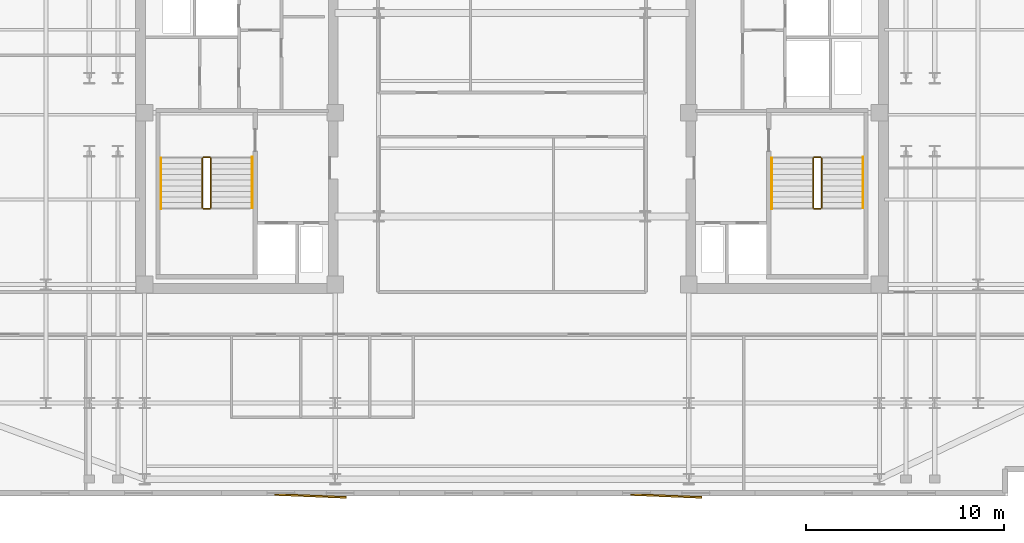
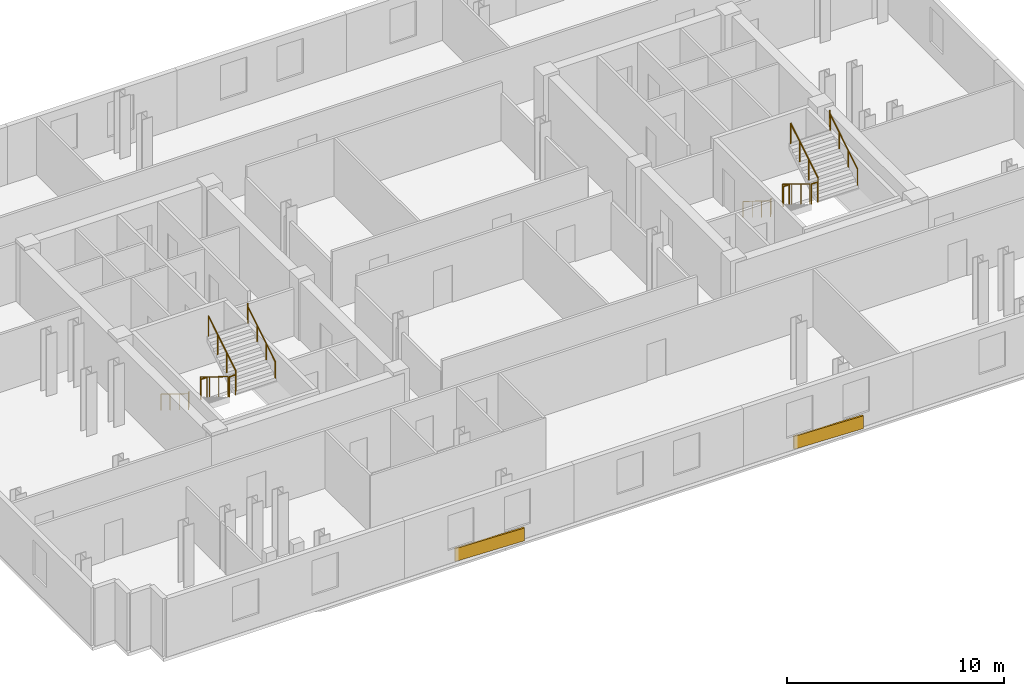
# One storey, part 8 of 9: 12 railings, 2 coverings.
"""IFC4 building model written with IfcOpenShell, lengths in metres."""

import ifcopenshell
import ifcopenshell.guid

model = None  # the IFC model being written
_history = None  # IfcOwnerHistory: only IFC2X3 demands one
_inside = {}  # id of a spatial element -> (the spatial element, [elements in it])
_under = {}  # id of a project, library or spatial element -> (it, [spatial elements below it])
_declared = {}  # id of a project -> (the project, [libraries it declares])
_typed = {}  # id of a type object -> (the type object, [elements of that type])
_made_of = {}  # id of a material, layer set ... -> (it, [elements and type objects made of it])


def new_model(schema):
    """Start an empty IFC model of exactly this schema.

    Asked for "IFC4X3", IfcOpenShell would pick the latest addendum, in which some entities
    have other attributes; the version numbers below select the first issue.
    IFC2X3 requires an IfcOwnerHistory on every rooted entity: one is made here for all.
    """
    global model, _history
    if schema == "IFC4X3":
        model = ifcopenshell.file(schema_version=(4, 3, 0, 0))
    else:
        model = ifcopenshell.file(schema=schema)
    _inside.clear()
    _under.clear()
    _declared.clear()
    _typed.clear()
    _made_of.clear()
    _history = None
    if model.schema == "IFC2X3":
        org = make("IfcOrganization", Name="unknown")
        user = make(
            "IfcPersonAndOrganization",
            ThePerson=make("IfcPerson", FamilyName="unknown"),
            TheOrganization=org,
        )
        app = make(
            "IfcApplication",
            ApplicationDeveloper=org,
            Version="unknown",
            ApplicationFullName="unknown",
            ApplicationIdentifier="unknown",
        )
        _history = make(
            "IfcOwnerHistory",
            OwningUser=user,
            OwningApplication=app,
            ChangeAction="ADDED",
            CreationDate=0,
        )
    return model


def make(cls, **values):
    """One entity of the class cls with the attributes given. An attribute that is None is left unset."""
    return model.create_entity(
        cls, **{name: value for name, value in values.items() if value is not None}
    )


def rooted(cls, **values):
    """An entity with a GlobalId (a new one), such as an element, a storey or a relation."""
    return make(cls, GlobalId=ifcopenshell.guid.new(), OwnerHistory=_history, **values)


def si_unit(unit_type, name, prefix=None):
    """IfcSIUnit, for example si_unit("LENGTHUNIT", "METRE", prefix="MILLI")."""
    return make("IfcSIUnit", UnitType=unit_type, Prefix=prefix, Name=name)


def assignment(units):
    """IfcUnitAssignment: the units of a project."""
    return None if units is None else make("IfcUnitAssignment", Units=units)


def point(xyz):
    """IfcCartesianPoint."""
    return None if xyz is None else make("IfcCartesianPoint", Coordinates=xyz)


def direction(xyz):
    """IfcDirection."""
    return None if xyz is None else make("IfcDirection", DirectionRatios=xyz)


def frame(location, z_axis=None, x_axis=None):
    """IfcAxis2Placement3D, a coordinate frame: its origin and axes. An axis left out is left unset."""
    return make(
        "IfcAxis2Placement3D",
        Location=point(location),
        Axis=direction(z_axis),
        RefDirection=direction(x_axis),
    )


def frame_2d(location, x_axis=None):
    """IfcAxis2Placement2D, a coordinate frame in the plane: its origin and x axis."""
    return make(
        "IfcAxis2Placement2D", Location=point(location), RefDirection=direction(x_axis)
    )


def origin():
    """The frame at (0, 0, 0) with its axes left unset."""
    return frame((0.0, 0.0, 0.0))


def origin_2d():
    """The frame at (0, 0) in the plane with its x axis left unset."""
    return frame_2d((0.0, 0.0))


def place(relative_to, where):
    """IfcLocalPlacement: puts the frame where relative to a parent placement (None: the world)."""
    return make(
        "IfcLocalPlacement", PlacementRelTo=relative_to, RelativePlacement=where
    )


def context(
    kind, dimensions, precision=None, world=None, true_north=None, identifier=None
):
    """IfcGeometricRepresentationContext, for example the 3D "Model" context."""
    return make(
        "IfcGeometricRepresentationContext",
        ContextIdentifier=identifier,
        ContextType=kind,
        CoordinateSpaceDimension=dimensions,
        Precision=precision,
        WorldCoordinateSystem=world,
        TrueNorth=true_north,
    )


def subcontext(parent, identifier, kind, view, scale=None):
    """IfcGeometricRepresentationSubContext, for example "Body" below "Model"."""
    return make(
        "IfcGeometricRepresentationSubContext",
        ContextIdentifier=identifier,
        ContextType=kind,
        ParentContext=parent,
        TargetScale=scale,
        TargetView=view,
    )


def project(units=None, contexts=None):
    """IfcProject with its units and contexts."""
    return rooted(
        "IfcProject",
        Name="project",
        RepresentationContexts=contexts,
        UnitsInContext=assignment(units),
    )


def spatial(cls, under=None, at=None, **own):
    """A site, building, storey or space (cls), placed at a placement, below another one or the project."""
    s = rooted(cls, ObjectPlacement=at, **own)
    if under is not None:
        _under.setdefault(under.id(), (under, []))[1].append(s)
    return s


def profile(cls, at=None, kind="AREA", **sizes):
    """A parametric profile (cls). Its sizes go by their IFC names, for example OverallWidth=200.0."""
    return make(cls, ProfileType=kind, Position=at, **sizes)


def rectangle(**sizes):
    """IfcRectangleProfileDef."""
    return profile("IfcRectangleProfileDef", **sizes)


def circle(**sizes):
    """IfcCircleProfileDef."""
    return profile("IfcCircleProfileDef", **sizes)


def extrude(swept, where, along, depth):
    """IfcExtrudedAreaSolid: the profile swept, set in the frame where, extruded along a direction by depth."""
    return make(
        "IfcExtrudedAreaSolid",
        SweptArea=swept,
        Position=where,
        ExtrudedDirection=direction(along),
        Depth=depth,
    )


def shape(context_of_items, identifier, shape_type, items):
    """IfcShapeRepresentation: the items that make up one representation, for example the "Body"."""
    return make(
        "IfcShapeRepresentation",
        ContextOfItems=context_of_items,
        RepresentationIdentifier=identifier,
        RepresentationType=shape_type,
        Items=items,
    )


def material(Name=None, Category=None):
    """IfcMaterial."""
    return make("IfcMaterial", Name=Name, Category=Category)


def layer(
    of_material, thickness, ventilated=None, Name=None, Category=None, Priority=None
):
    """IfcMaterialLayer: one layer of a wall or slab, of a material (None: an air gap)."""
    return make(
        "IfcMaterialLayer",
        Material=of_material,
        LayerThickness=thickness,
        IsVentilated=ventilated,
        Name=Name,
        Category=Category,
        Priority=Priority,
    )


def layer_set(layers, Name=None):
    """IfcMaterialLayerSet."""
    return make("IfcMaterialLayerSet", MaterialLayers=layers, LayerSetName=Name)


def made_of(thing, what):
    """Note that an element or type object is made of a material, layer set ...; save() writes the relation."""
    if what is not None:
        _made_of.setdefault(what.id(), (what, []))[1].append(thing)
    return thing


def type_object(cls, material=None, **own):
    """A type object (cls), such as IfcWallType, which elements share."""
    return made_of(rooted(cls, **own), material)


def element(
    cls,
    number,
    at=None,
    inside=None,
    cuts=None,
    type_object=None,
    material=None,
    context=None,
    identifier="Body",
    shape_type=None,
    held_by="IfcProductDefinitionShape",
    body=None,
    shapes=None,
    **own,
):
    """One element of the class cls, such as IfcWall. Its Tag is "e" and its number.

    at: its placement. inside: the storey or other place that contains it. cuts: it is an
    opening in that element (IfcRelVoidsElement). A single representation is given by context,
    identifier, shape_type and body (its items); several are given by shapes. held_by: the class
    of the entity that holds the representations. save() writes the other relations.
    """
    e = rooted(cls, Tag="e%d" % number, ObjectPlacement=at, **own)
    if body is not None:
        shapes = [shape(context, identifier, shape_type, body)]
    if shapes is not None:
        e.Representation = make(held_by, Representations=shapes)
    if inside is not None:
        _inside.setdefault(inside.id(), (inside, []))[1].append(e)
    if cuts is not None:
        rooted(
            "IfcRelVoidsElement", RelatingBuildingElement=cuts, RelatedOpeningElement=e
        )
    if type_object is not None:
        _typed.setdefault(type_object.id(), (type_object, []))[1].append(e)
    return made_of(e, material)


def aggregate(whole, parts):
    """IfcRelAggregates: a whole, such as a stair, and the parts it consists of."""
    return rooted("IfcRelAggregates", RelatingObject=whole, RelatedObjects=parts)


def save(model, path):
    """Write the relations noted so far, then the file.

    IfcRelAggregates (storeys below a building ...), IfcRelContainedInSpatialStructure (elements
    in a storey), IfcRelDefinesByType, IfcRelAssociatesMaterial and IfcRelDeclares: one each for
    every whole, place, type object, material and project.
    """
    for whole, parts in _under.values():
        aggregate(whole, parts)
    for where, things in _inside.values():
        rooted(
            "IfcRelContainedInSpatialStructure",
            RelatedElements=things,
            RelatingStructure=where,
        )
    for kind, things in _typed.values():
        rooted("IfcRelDefinesByType", RelatedObjects=things, RelatingType=kind)
    for what, things in _made_of.values():
        rooted("IfcRelAssociatesMaterial", RelatedObjects=things, RelatingMaterial=what)
    for by, libraries in _declared.values():
        rooted("IfcRelDeclares", RelatingContext=by, RelatedDefinitions=libraries)
    model.write(path)


model = new_model("IFC4")

# Units and contexts
model_context = context("Model", 3, precision=1e-05, world=origin(), true_north=direction((0.0, 1.0)))
body_context = subcontext(model_context, "Body", "Model", "MODEL_VIEW")
ifc_project = project(units=[si_unit("LENGTHUNIT", "METRE"), si_unit("AREAUNIT", "SQUARE_METRE"), si_unit("VOLUMEUNIT", "CUBIC_METRE"), si_unit("PLANEANGLEUNIT", "RADIAN"), si_unit("MASSUNIT", "GRAM", prefix="KILO")], contexts=[model_context])

# Site, building, storey
site_placement = place(None, origin())
site = spatial("IfcSite", under=ifc_project, at=site_placement, CompositionType="ELEMENT")
building_placement = place(site_placement, origin())
building = spatial("IfcBuilding", under=site, at=building_placement, Name="Velakula Bourse", CompositionType="ELEMENT")
storey_placement = place(building_placement, frame((0.0, 0.0, 211.949951171875)))
storey = spatial("IfcBuildingStorey", under=building, at=storey_placement, Name="L57", CompositionType="ELEMENT", Elevation=211.949951171875)

# Coverings
ifc_material_1 = material(Name="Red kilned clay facing brick masonry", Category="masonry")
ifc_layer = layer(ifc_material_1, 0.090087890625, Name="Red kilned clay facing brick masonry", Category="masonry")
ifc_layer_set = layer_set([ifc_layer], Name="Red kilned clay facing brick masonry")
covering_type = type_object("IfcCoveringType", Name="COV-BRK-FOLD-90", PredefinedType="CLADDING", material=ifc_layer_set)
for number, where, z_axis, x_axis, name in (
    (1, (-10.199951171875, -19.300048828125, 0.0), (0.0, 0.0, 1.0), (0.999158993058, -0.041003738744, 0.0), "L57 Folded Brick Facade Cladding Panel S-B2"),
    (2, (7.800048828125, -19.300048828125, 0.0), (0.0, 0.0, 1.0), (0.999158993058, -0.041003738744, 0.0), "L57 Folded Brick Facade Cladding Panel S-B4"),
):
    element("IfcCovering", number, at=place(storey_placement, frame(where, z_axis=z_axis, x_axis=x_axis)), inside=storey, type_object=covering_type, Name=name, PredefinedType="CLADDING", context=body_context, shape_type="SweptSolid", body=[
        extrude(rectangle(XDim=3.60009765625, YDim=0.090087890625, at=origin_2d()), origin(), (0.0, 0.0, 1.0), 0.719970703125),
    ])

# Railings
ifc_material_2 = material(Name="Brushed grade 316 stainless steel", Category="steel")
railing_type_1 = type_object("IfcRailingType", Name="RLG-STAIR-GUARD-1150", PredefinedType="BALUSTRADE", material=ifc_material_2)
railing_1_placement = place(storey_placement, frame((-15.672119140625, -2.199951171875, 0.172607421875)))
element("IfcRailing", 3, at=railing_1_placement, inside=storey, type_object=railing_type_1, Name="L57 ST-W1 stair guard 1", PredefinedType="BALUSTRADE", context=body_context, shape_type="SweptSolid", body=[
    extrude(circle(Radius=0.02490234375, at=origin_2d()), frame((0.0, 0.0, 1.125), z_axis=(0.0, -0.851400495292, 0.524516154772), x_axis=(1.0, 0.0, 0.0)), (0.0, 0.0, 1.0), 2.9599609375),
    extrude(circle(Radius=0.02099609375, at=origin_2d()), origin(), (0.0, 0.0, 1.0), 1.099853515625),
    extrude(circle(Radius=0.02099609375, at=origin_2d()), frame((0.0, -0.840087890625, 0.517578125)), (0.0, 0.0, 1.0), 1.099853515625),
    extrude(circle(Radius=0.02099609375, at=origin_2d()), frame((0.0, -1.679931640625, 1.034912109375)), (0.0, 0.0, 1.0), 1.099853515625),
    extrude(circle(Radius=0.02099609375, at=origin_2d()), frame((0.0, -2.52001953125, 1.552490234375)), (0.0, 0.0, 1.0), 1.099853515625),
])
railing_2_placement = place(storey_placement, frame((-15.6220703125, -4.77001953125, 1.72509765625)))
element("IfcRailing", 4, at=railing_2_placement, inside=storey, type_object=railing_type_1, Name="L57 ST-W1 stair guard 2", PredefinedType="BALUSTRADE", context=body_context, shape_type="SweptSolid", body=[
    extrude(circle(Radius=0.02490234375, at=origin_2d()), frame((0.0, 0.0, 1.125), z_axis=(1.0, 0.0, 0.0), x_axis=(0.0, 1.0, 0.0)), (0.0, 0.0, 1.0), 0.323974609375),
    extrude(circle(Radius=0.02099609375, at=origin_2d()), origin(), (0.0, 0.0, 1.0), 1.099853515625),
    extrude(circle(Radius=0.02099609375, at=origin_2d()), frame((0.323974609375, 0.0, 0.0)), (0.0, 0.0, 1.0), 1.099853515625),
])
railing_3_placement = place(storey_placement, frame((-15.248046875, -4.719970703125, 1.8974609375)))
element("IfcRailing", 5, at=railing_3_placement, inside=storey, type_object=railing_type_1, Name="L57 ST-W1 stair guard 3", PredefinedType="BALUSTRADE", context=body_context, shape_type="SweptSolid", body=[
    extrude(circle(Radius=0.02490234375, at=origin_2d()), frame((0.0, 0.0, 1.125), z_axis=(0.0, 0.851400495292, 0.524516154772), x_axis=(-1.0, 0.0, 0.0)), (0.0, 0.0, 1.0), 2.9599609375),
    extrude(circle(Radius=0.02099609375, at=origin_2d()), origin(), (0.0, 0.0, 1.0), 1.099853515625),
    extrude(circle(Radius=0.02099609375, at=origin_2d()), frame((0.0, 0.840087890625, 0.517578125)), (0.0, 0.0, 1.0), 1.099853515625),
    extrude(circle(Radius=0.02099609375, at=origin_2d()), frame((0.0, 1.679931640625, 1.034912109375)), (0.0, 0.0, 1.0), 1.099853515625),
    extrude(circle(Radius=0.02099609375, at=origin_2d()), frame((0.0, 2.52001953125, 1.552490234375)), (0.0, 0.0, 1.0), 1.099853515625),
])
railing_4_placement = place(storey_placement, frame((-15.6220703125, -2.14990234375, 0.0)))
element("IfcRailing", 6, at=railing_4_placement, inside=storey, type_object=railing_type_1, Name="L57 ST-W1 stair guard 4", PredefinedType="BALUSTRADE", context=body_context, shape_type="SweptSolid", body=[
    extrude(circle(Radius=0.02490234375, at=origin_2d()), frame((0.0, 0.0, 1.125), z_axis=(1.0, 0.0, 0.0), x_axis=(0.0, 1.0, 0.0)), (0.0, 0.0, 1.0), 0.323974609375),
    extrude(circle(Radius=0.02099609375, at=origin_2d()), origin(), (0.0, 0.0, 1.0), 1.099853515625),
    extrude(circle(Radius=0.02099609375, at=origin_2d()), frame((0.323974609375, 0.0, 0.0)), (0.0, 0.0, 1.0), 1.099853515625),
])
railing_5_placement = place(storey_placement, frame((15.248046875, -2.199951171875, 0.172607421875)))
element("IfcRailing", 7, at=railing_5_placement, inside=storey, type_object=railing_type_1, Name="L57 ST-E1 stair guard 1", PredefinedType="BALUSTRADE", context=body_context, shape_type="SweptSolid", body=[
    extrude(circle(Radius=0.02490234375, at=origin_2d()), frame((0.0, 0.0, 1.125), z_axis=(0.0, -0.851400495292, 0.524516154772), x_axis=(1.0, 0.0, 0.0)), (0.0, 0.0, 1.0), 2.9599609375),
    extrude(circle(Radius=0.02099609375, at=origin_2d()), origin(), (0.0, 0.0, 1.0), 1.099853515625),
    extrude(circle(Radius=0.02099609375, at=origin_2d()), frame((0.0, -0.840087890625, 0.517578125)), (0.0, 0.0, 1.0), 1.099853515625),
    extrude(circle(Radius=0.02099609375, at=origin_2d()), frame((0.0, -1.679931640625, 1.034912109375)), (0.0, 0.0, 1.0), 1.099853515625),
    extrude(circle(Radius=0.02099609375, at=origin_2d()), frame((0.0, -2.52001953125, 1.552490234375)), (0.0, 0.0, 1.0), 1.099853515625),
])
railing_6_placement = place(storey_placement, frame((15.298095703125, -4.77001953125, 1.72509765625)))
element("IfcRailing", 8, at=railing_6_placement, inside=storey, type_object=railing_type_1, Name="L57 ST-E1 stair guard 2", PredefinedType="BALUSTRADE", context=body_context, shape_type="SweptSolid", body=[
    extrude(circle(Radius=0.02490234375, at=origin_2d()), frame((0.0, 0.0, 1.125), z_axis=(1.0, 0.0, 0.0), x_axis=(0.0, 1.0, 0.0)), (0.0, 0.0, 1.0), 0.323974609375),
    extrude(circle(Radius=0.02099609375, at=origin_2d()), origin(), (0.0, 0.0, 1.0), 1.099853515625),
    extrude(circle(Radius=0.02099609375, at=origin_2d()), frame((0.323974609375, 0.0, 0.0)), (0.0, 0.0, 1.0), 1.099853515625),
])
railing_7_placement = place(storey_placement, frame((15.672119140625, -4.719970703125, 1.8974609375)))
element("IfcRailing", 9, at=railing_7_placement, inside=storey, type_object=railing_type_1, Name="L57 ST-E1 stair guard 3", PredefinedType="BALUSTRADE", context=body_context, shape_type="SweptSolid", body=[
    extrude(circle(Radius=0.02490234375, at=origin_2d()), frame((0.0, 0.0, 1.125), z_axis=(0.0, 0.851400495292, 0.524516154772), x_axis=(-1.0, 0.0, 0.0)), (0.0, 0.0, 1.0), 2.9599609375),
    extrude(circle(Radius=0.02099609375, at=origin_2d()), origin(), (0.0, 0.0, 1.0), 1.099853515625),
    extrude(circle(Radius=0.02099609375, at=origin_2d()), frame((0.0, 0.840087890625, 0.517578125)), (0.0, 0.0, 1.0), 1.099853515625),
    extrude(circle(Radius=0.02099609375, at=origin_2d()), frame((0.0, 1.679931640625, 1.034912109375)), (0.0, 0.0, 1.0), 1.099853515625),
    extrude(circle(Radius=0.02099609375, at=origin_2d()), frame((0.0, 2.52001953125, 1.552490234375)), (0.0, 0.0, 1.0), 1.099853515625),
])
railing_8_placement = place(storey_placement, frame((15.298095703125, -2.14990234375, 0.0)))
element("IfcRailing", 10, at=railing_8_placement, inside=storey, type_object=railing_type_1, Name="L57 ST-E1 stair guard 4", PredefinedType="BALUSTRADE", context=body_context, shape_type="SweptSolid", body=[
    extrude(circle(Radius=0.02490234375, at=origin_2d()), frame((0.0, 0.0, 1.125), z_axis=(1.0, 0.0, 0.0), x_axis=(0.0, 1.0, 0.0)), (0.0, 0.0, 1.0), 0.323974609375),
    extrude(circle(Radius=0.02099609375, at=origin_2d()), origin(), (0.0, 0.0, 1.0), 1.099853515625),
    extrude(circle(Radius=0.02099609375, at=origin_2d()), frame((0.323974609375, 0.0, 0.0)), (0.0, 0.0, 1.0), 1.099853515625),
])
railing_type_2 = type_object("IfcRailingType", Name="RLG-STAIR-HAND-920", PredefinedType="HANDRAIL", material=ifc_material_2)
railing_9_placement = place(storey_placement, frame((-17.77001953125, -2.199951171875, 0.172607421875)))
element("IfcRailing", 11, at=railing_9_placement, inside=storey, type_object=railing_type_2, Name="L57 ST-W1 stair handrail 1", PredefinedType="HANDRAIL", context=body_context, shape_type="SweptSolid", body=[
    extrude(circle(Radius=0.02099609375, at=origin_2d()), frame((0.0, 0.0, 0.89892578125), z_axis=(0.0, -0.851400495292, 0.524516154772), x_axis=(1.0, 0.0, 0.0)), (0.0, 0.0, 1.0), 2.9599609375),
    extrude(circle(Radius=0.02099609375, at=origin_2d()), frame((0.0, -2.52001953125, 2.451416015625), z_axis=(0.0, -0.226269970362, 0.974064628509), x_axis=(1.0, 0.0, 0.0)), (0.0, 0.0, 1.0), 0.177001953125),
    extrude(circle(Radius=0.02099609375, at=origin_2d()), frame((0.0, -2.56005859375, 2.623779296875), z_axis=(0.0, -1.0, 0.0), x_axis=(1.0, 0.0, 0.0)), (0.0, 0.0, 1.0), 0.0048828125),
    extrude(circle(Radius=0.02099609375, at=origin_2d()), origin(), (0.0, 0.0, 1.0), 0.8779296875),
    extrude(circle(Radius=0.02099609375, at=origin_2d()), frame((0.0, -0.840087890625, 0.517578125)), (0.0, 0.0, 1.0), 0.8779296875),
    extrude(circle(Radius=0.02099609375, at=origin_2d()), frame((0.0, -1.679931640625, 1.034912109375)), (0.0, 0.0, 1.0), 0.8779296875),
    extrude(circle(Radius=0.02099609375, at=origin_2d()), frame((0.0, -2.52001953125, 1.552490234375)), (0.0, 0.0, 1.0), 0.8779296875),
    extrude(circle(Radius=0.02099609375, at=origin_2d()), frame((0.0, -2.56005859375, 1.724853515625)), (0.0, 0.0, 1.0), 0.8779296875),
    extrude(circle(Radius=0.02099609375, at=origin_2d()), frame((0.0, -2.56494140625, 1.724853515625)), (0.0, 0.0, 1.0), 0.8779296875),
])
railing_10_placement = place(storey_placement, frame((-13.14990234375, -4.719970703125, 1.8974609375)))
element("IfcRailing", 12, at=railing_10_placement, inside=storey, type_object=railing_type_2, Name="L57 ST-W1 stair handrail 2", PredefinedType="HANDRAIL", context=body_context, shape_type="SweptSolid", body=[
    extrude(circle(Radius=0.02099609375, at=origin_2d()), frame((0.0, 0.0, 0.89892578125), z_axis=(0.0, 0.851400495292, 0.524516154772), x_axis=(-1.0, 0.0, 0.0)), (0.0, 0.0, 1.0), 2.9599609375),
    extrude(circle(Radius=0.02099609375, at=origin_2d()), frame((0.0, 2.52001953125, 2.451416015625), z_axis=(0.0, 0.22596628056, 0.974135124123), x_axis=(-1.0, 0.0, 0.0)), (0.0, 0.0, 1.0), 0.17724609375),
    extrude(circle(Radius=0.02099609375, at=origin_2d()), frame((0.0, 2.56005859375, 2.6240234375), z_axis=(0.0, 1.0, 0.0), x_axis=(-1.0, 0.0, 0.0)), (0.0, 0.0, 1.0), 0.0048828125),
    extrude(circle(Radius=0.02099609375, at=origin_2d()), origin(), (0.0, 0.0, 1.0), 0.8779296875),
    extrude(circle(Radius=0.02099609375, at=origin_2d()), frame((0.0, 0.840087890625, 0.517578125)), (0.0, 0.0, 1.0), 0.8779296875),
    extrude(circle(Radius=0.02099609375, at=origin_2d()), frame((0.0, 1.679931640625, 1.034912109375)), (0.0, 0.0, 1.0), 0.8779296875),
    extrude(circle(Radius=0.02099609375, at=origin_2d()), frame((0.0, 2.52001953125, 1.552490234375)), (0.0, 0.0, 1.0), 0.8779296875),
    extrude(circle(Radius=0.02099609375, at=origin_2d()), frame((0.0, 2.56005859375, 1.72509765625)), (0.0, 0.0, 1.0), 0.8779296875),
    extrude(circle(Radius=0.02099609375, at=origin_2d()), frame((0.0, 2.56494140625, 1.72509765625)), (0.0, 0.0, 1.0), 0.8779296875),
])
railing_11_placement = place(storey_placement, frame((13.14990234375, -2.199951171875, 0.172607421875)))
element("IfcRailing", 13, at=railing_11_placement, inside=storey, type_object=railing_type_2, Name="L57 ST-E1 stair handrail 1", PredefinedType="HANDRAIL", context=body_context, shape_type="SweptSolid", body=[
    extrude(circle(Radius=0.02099609375, at=origin_2d()), frame((0.0, 0.0, 0.89892578125), z_axis=(0.0, -0.851400495292, 0.524516154772), x_axis=(1.0, 0.0, 0.0)), (0.0, 0.0, 1.0), 2.9599609375),
    extrude(circle(Radius=0.02099609375, at=origin_2d()), frame((0.0, -2.52001953125, 2.451416015625), z_axis=(0.0, -0.226269970362, 0.974064628509), x_axis=(1.0, 0.0, 0.0)), (0.0, 0.0, 1.0), 0.177001953125),
    extrude(circle(Radius=0.02099609375, at=origin_2d()), frame((0.0, -2.56005859375, 2.623779296875), z_axis=(0.0, -1.0, 0.0), x_axis=(1.0, 0.0, 0.0)), (0.0, 0.0, 1.0), 0.0048828125),
    extrude(circle(Radius=0.02099609375, at=origin_2d()), origin(), (0.0, 0.0, 1.0), 0.8779296875),
    extrude(circle(Radius=0.02099609375, at=origin_2d()), frame((0.0, -0.840087890625, 0.517578125)), (0.0, 0.0, 1.0), 0.8779296875),
    extrude(circle(Radius=0.02099609375, at=origin_2d()), frame((0.0, -1.679931640625, 1.034912109375)), (0.0, 0.0, 1.0), 0.8779296875),
    extrude(circle(Radius=0.02099609375, at=origin_2d()), frame((0.0, -2.52001953125, 1.552490234375)), (0.0, 0.0, 1.0), 0.8779296875),
    extrude(circle(Radius=0.02099609375, at=origin_2d()), frame((0.0, -2.56005859375, 1.724853515625)), (0.0, 0.0, 1.0), 0.8779296875),
    extrude(circle(Radius=0.02099609375, at=origin_2d()), frame((0.0, -2.56494140625, 1.724853515625)), (0.0, 0.0, 1.0), 0.8779296875),
])
railing_12_placement = place(storey_placement, frame((17.77001953125, -4.719970703125, 1.8974609375)))
element("IfcRailing", 14, at=railing_12_placement, inside=storey, type_object=railing_type_2, Name="L57 ST-E1 stair handrail 2", PredefinedType="HANDRAIL", context=body_context, shape_type="SweptSolid", body=[
    extrude(circle(Radius=0.02099609375, at=origin_2d()), frame((0.0, 0.0, 0.89892578125), z_axis=(0.0, 0.851400495292, 0.524516154772), x_axis=(-1.0, 0.0, 0.0)), (0.0, 0.0, 1.0), 2.9599609375),
    extrude(circle(Radius=0.02099609375, at=origin_2d()), frame((0.0, 2.52001953125, 2.451416015625), z_axis=(0.0, 0.22596628056, 0.974135124123), x_axis=(-1.0, 0.0, 0.0)), (0.0, 0.0, 1.0), 0.17724609375),
    extrude(circle(Radius=0.02099609375, at=origin_2d()), frame((0.0, 2.56005859375, 2.6240234375), z_axis=(0.0, 1.0, 0.0), x_axis=(-1.0, 0.0, 0.0)), (0.0, 0.0, 1.0), 0.0048828125),
    extrude(circle(Radius=0.02099609375, at=origin_2d()), origin(), (0.0, 0.0, 1.0), 0.8779296875),
    extrude(circle(Radius=0.02099609375, at=origin_2d()), frame((0.0, 0.840087890625, 0.517578125)), (0.0, 0.0, 1.0), 0.8779296875),
    extrude(circle(Radius=0.02099609375, at=origin_2d()), frame((0.0, 1.679931640625, 1.034912109375)), (0.0, 0.0, 1.0), 0.8779296875),
    extrude(circle(Radius=0.02099609375, at=origin_2d()), frame((0.0, 2.52001953125, 1.552490234375)), (0.0, 0.0, 1.0), 0.8779296875),
    extrude(circle(Radius=0.02099609375, at=origin_2d()), frame((0.0, 2.56005859375, 1.72509765625)), (0.0, 0.0, 1.0), 0.8779296875),
    extrude(circle(Radius=0.02099609375, at=origin_2d()), frame((0.0, 2.56494140625, 1.72509765625)), (0.0, 0.0, 1.0), 0.8779296875),
])

save(model, "model.ifc")
